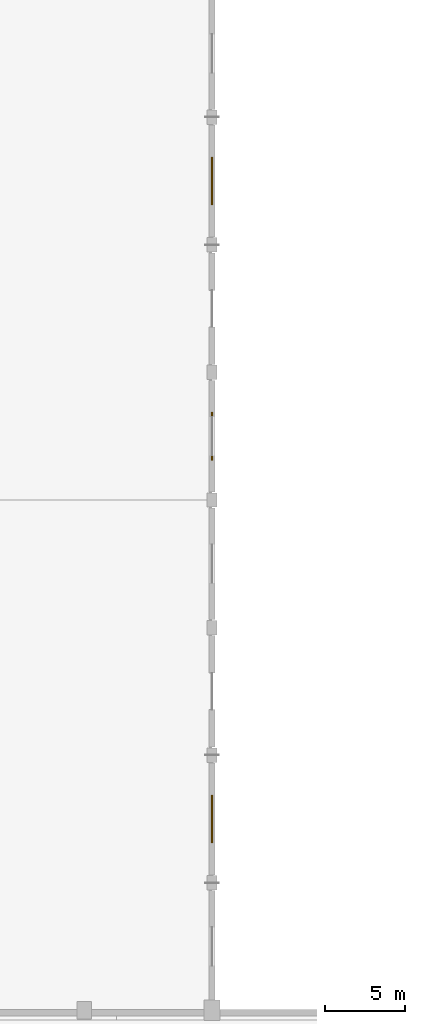
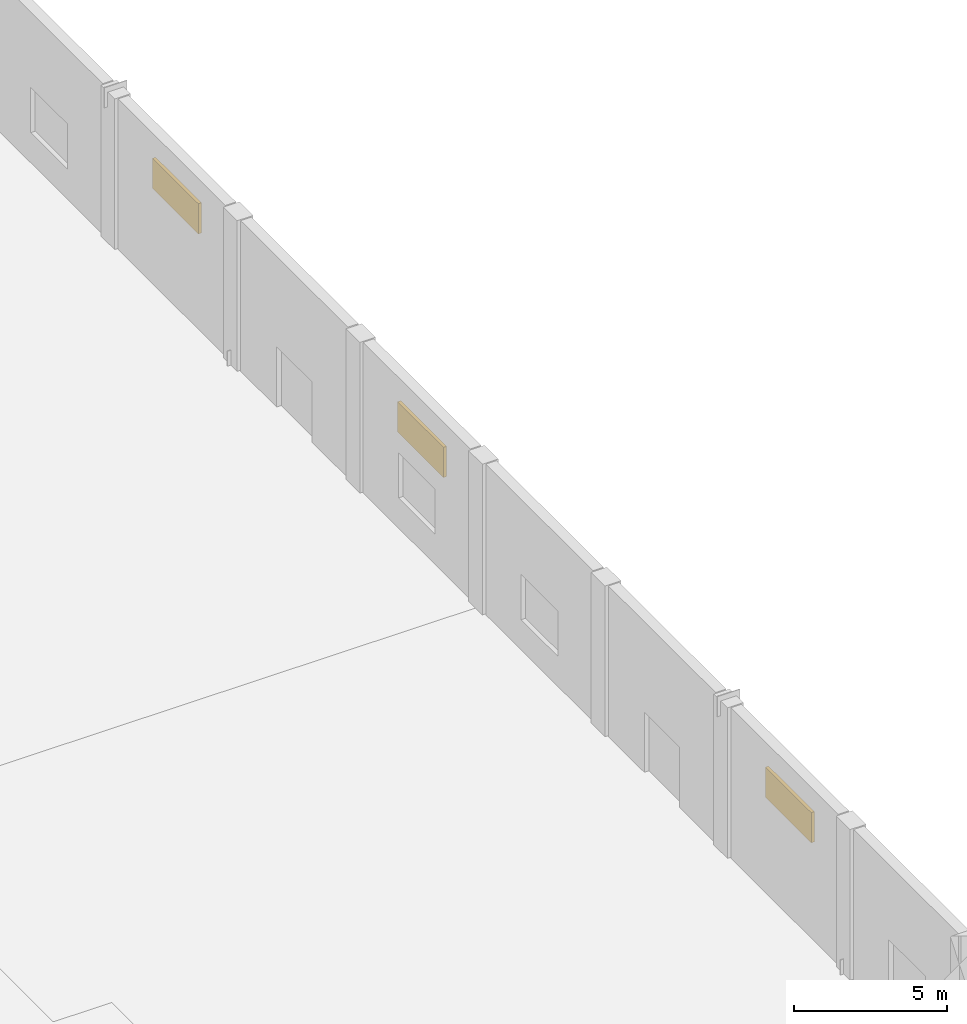
# One storey, part 49 of 49: 3 shading devices.
"""IFC4 building model written with IfcOpenShell, lengths in metres."""

from ifc_helpers import new_model, si_unit, direction, frame, origin, origin_2d, place, context, subcontext, project, spatial, rectangle, extrude, material, layer, layer_set, type_object, element, save


model = new_model("IFC4")

# Units and contexts
model_context = context("Model", 3, precision=1e-05, world=origin(), true_north=direction((0.0, 1.0)))
body_context = subcontext(model_context, "Body", "Model", "MODEL_VIEW")
ifc_project = project(units=[si_unit("LENGTHUNIT", "METRE"), si_unit("AREAUNIT", "SQUARE_METRE"), si_unit("VOLUMEUNIT", "CUBIC_METRE"), si_unit("PLANEANGLEUNIT", "RADIAN"), si_unit("MASSUNIT", "GRAM", prefix="KILO")], contexts=[model_context])

# Site, building, storey
site_placement = place(None, origin())
site = spatial("IfcSite", under=ifc_project, at=site_placement, CompositionType="ELEMENT")
building_placement = place(site_placement, origin())
building = spatial("IfcBuilding", under=site, at=building_placement, Name="Tlacozan Convention Centre", CompositionType="ELEMENT")
storey_placement = place(building_placement, origin())
storey = spatial("IfcBuildingStorey", under=building, at=storey_placement, Name="L00", CompositionType="ELEMENT", Elevation=0.0)

# Shading devices
ifc_material = material(Name="Dark Bronze Anodised Aluminium", Category="aluminium")
ifc_layer = layer(ifc_material, 0.1201171875)
ifc_layer_set = layer_set([ifc_layer], Name="Dark Bronze Anodised Aluminium")
shading_device_type = type_object("IfcShadingDeviceType", Name="Acoustic Plant Louvre Bank", PredefinedType="JALOUSIE", material=ifc_layer_set)
for number, where, z_axis, x_axis, name in (
    (1, (168.0, 74.0, 3.60009765625), (0.0, 0.0, 1.0), (0.0, 1.0, 0.0), "L00 Acoustic Plant Louvre 6"),
    (2, (168.0, 98.0, 3.60009765625), (0.0, 0.0, 1.0), (0.0, 1.0, 0.0), "L00 Acoustic Plant Louvre 7"),
    (3, (168.0, 114.0, 3.60009765625), (0.0, 0.0, 1.0), (0.0, 1.0, 0.0), "L00 Acoustic Plant Louvre 8"),
):
    element("IfcShadingDevice", number, at=place(storey_placement, frame(where, z_axis=z_axis, x_axis=x_axis)), inside=storey, type_object=shading_device_type, Name=name, PredefinedType="JALOUSIE", context=body_context, shape_type="SweptSolid", body=[
        extrude(rectangle(XDim=3.0, YDim=0.1201171875, at=origin_2d()), origin(), (0.0, 0.0, 1.0), 1.199951171875),
    ])

save(model, "model.ifc")
